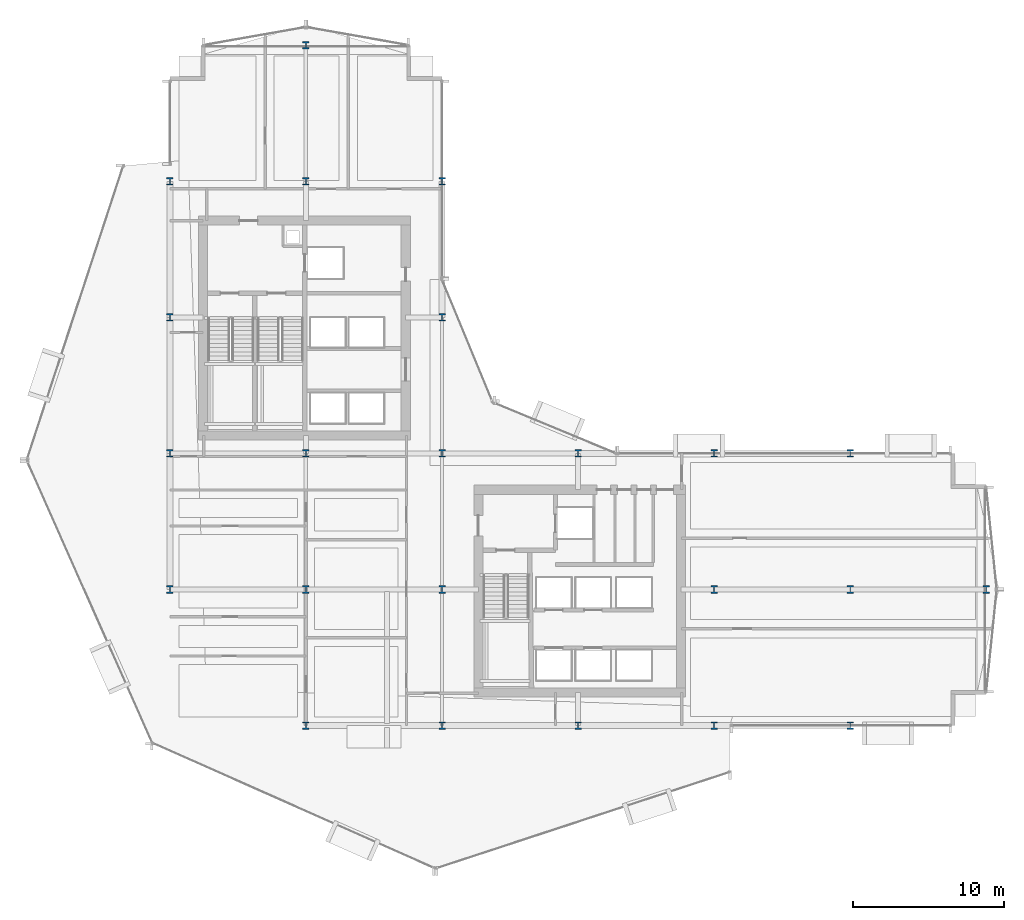
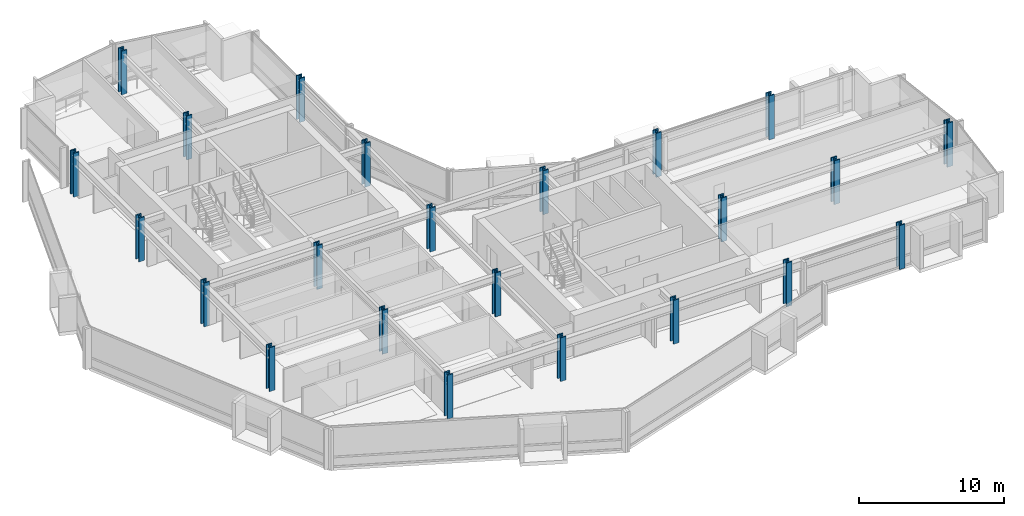
# One storey, part 1 of 34: 23 columns.
"""IFC4 building model written with IfcOpenShell, lengths in metres."""

import ifcopenshell
import ifcopenshell.guid

model = None  # the IFC model being written
_history = None  # IfcOwnerHistory: only IFC2X3 demands one
_inside = {}  # id of a spatial element -> (the spatial element, [elements in it])
_under = {}  # id of a project, library or spatial element -> (it, [spatial elements below it])
_declared = {}  # id of a project -> (the project, [libraries it declares])
_typed = {}  # id of a type object -> (the type object, [elements of that type])
_made_of = {}  # id of a material, layer set ... -> (it, [elements and type objects made of it])


def new_model(schema):
    """Start an empty IFC model of exactly this schema.

    Asked for "IFC4X3", IfcOpenShell would pick the latest addendum, in which some entities
    have other attributes; the version numbers below select the first issue.
    IFC2X3 requires an IfcOwnerHistory on every rooted entity: one is made here for all.
    """
    global model, _history
    if schema == "IFC4X3":
        model = ifcopenshell.file(schema_version=(4, 3, 0, 0))
    else:
        model = ifcopenshell.file(schema=schema)
    _inside.clear()
    _under.clear()
    _declared.clear()
    _typed.clear()
    _made_of.clear()
    _history = None
    if model.schema == "IFC2X3":
        org = make("IfcOrganization", Name="unknown")
        user = make(
            "IfcPersonAndOrganization",
            ThePerson=make("IfcPerson", FamilyName="unknown"),
            TheOrganization=org,
        )
        app = make(
            "IfcApplication",
            ApplicationDeveloper=org,
            Version="unknown",
            ApplicationFullName="unknown",
            ApplicationIdentifier="unknown",
        )
        _history = make(
            "IfcOwnerHistory",
            OwningUser=user,
            OwningApplication=app,
            ChangeAction="ADDED",
            CreationDate=0,
        )
    return model


def make(cls, **values):
    """One entity of the class cls with the attributes given. An attribute that is None is left unset."""
    return model.create_entity(
        cls, **{name: value for name, value in values.items() if value is not None}
    )


def rooted(cls, **values):
    """An entity with a GlobalId (a new one), such as an element, a storey or a relation."""
    return make(cls, GlobalId=ifcopenshell.guid.new(), OwnerHistory=_history, **values)


def si_unit(unit_type, name, prefix=None):
    """IfcSIUnit, for example si_unit("LENGTHUNIT", "METRE", prefix="MILLI")."""
    return make("IfcSIUnit", UnitType=unit_type, Prefix=prefix, Name=name)


def assignment(units):
    """IfcUnitAssignment: the units of a project."""
    return None if units is None else make("IfcUnitAssignment", Units=units)


def point(xyz):
    """IfcCartesianPoint."""
    return None if xyz is None else make("IfcCartesianPoint", Coordinates=xyz)


def direction(xyz):
    """IfcDirection."""
    return None if xyz is None else make("IfcDirection", DirectionRatios=xyz)


def frame(location, z_axis=None, x_axis=None):
    """IfcAxis2Placement3D, a coordinate frame: its origin and axes. An axis left out is left unset."""
    return make(
        "IfcAxis2Placement3D",
        Location=point(location),
        Axis=direction(z_axis),
        RefDirection=direction(x_axis),
    )


def frame_2d(location, x_axis=None):
    """IfcAxis2Placement2D, a coordinate frame in the plane: its origin and x axis."""
    return make(
        "IfcAxis2Placement2D", Location=point(location), RefDirection=direction(x_axis)
    )


def origin():
    """The frame at (0, 0, 0) with its axes left unset."""
    return frame((0.0, 0.0, 0.0))


def origin_2d():
    """The frame at (0, 0) in the plane with its x axis left unset."""
    return frame_2d((0.0, 0.0))


def place(relative_to, where):
    """IfcLocalPlacement: puts the frame where relative to a parent placement (None: the world)."""
    return make(
        "IfcLocalPlacement", PlacementRelTo=relative_to, RelativePlacement=where
    )


def context(
    kind, dimensions, precision=None, world=None, true_north=None, identifier=None
):
    """IfcGeometricRepresentationContext, for example the 3D "Model" context."""
    return make(
        "IfcGeometricRepresentationContext",
        ContextIdentifier=identifier,
        ContextType=kind,
        CoordinateSpaceDimension=dimensions,
        Precision=precision,
        WorldCoordinateSystem=world,
        TrueNorth=true_north,
    )


def subcontext(parent, identifier, kind, view, scale=None):
    """IfcGeometricRepresentationSubContext, for example "Body" below "Model"."""
    return make(
        "IfcGeometricRepresentationSubContext",
        ContextIdentifier=identifier,
        ContextType=kind,
        ParentContext=parent,
        TargetScale=scale,
        TargetView=view,
    )


def project(units=None, contexts=None):
    """IfcProject with its units and contexts."""
    return rooted(
        "IfcProject",
        Name="project",
        RepresentationContexts=contexts,
        UnitsInContext=assignment(units),
    )


def spatial(cls, under=None, at=None, **own):
    """A site, building, storey or space (cls), placed at a placement, below another one or the project."""
    s = rooted(cls, ObjectPlacement=at, **own)
    if under is not None:
        _under.setdefault(under.id(), (under, []))[1].append(s)
    return s


def profile(cls, at=None, kind="AREA", **sizes):
    """A parametric profile (cls). Its sizes go by their IFC names, for example OverallWidth=200.0."""
    return make(cls, ProfileType=kind, Position=at, **sizes)


def i_section(**sizes):
    """IfcIShapeProfileDef."""
    return profile("IfcIShapeProfileDef", **sizes)


def extrude(swept, where, along, depth):
    """IfcExtrudedAreaSolid: the profile swept, set in the frame where, extruded along a direction by depth."""
    return make(
        "IfcExtrudedAreaSolid",
        SweptArea=swept,
        Position=where,
        ExtrudedDirection=direction(along),
        Depth=depth,
    )


def shape(context_of_items, identifier, shape_type, items):
    """IfcShapeRepresentation: the items that make up one representation, for example the "Body"."""
    return make(
        "IfcShapeRepresentation",
        ContextOfItems=context_of_items,
        RepresentationIdentifier=identifier,
        RepresentationType=shape_type,
        Items=items,
    )


def material(Name=None, Category=None):
    """IfcMaterial."""
    return make("IfcMaterial", Name=Name, Category=Category)


def material_profile(
    of_material, cross_section, Name=None, Category=None, Priority=None
):
    """IfcMaterialProfile: a cross section and its material."""
    return make(
        "IfcMaterialProfile",
        Name=Name,
        Material=of_material,
        Profile=cross_section,
        Priority=Priority,
        Category=Category,
    )


def profile_set(profiles, Name=None, composite=None):
    """IfcMaterialProfileSet."""
    return make(
        "IfcMaterialProfileSet",
        Name=Name,
        MaterialProfiles=profiles,
        CompositeProfile=composite,
    )


def made_of(thing, what):
    """Note that an element or type object is made of a material, layer set ...; save() writes the relation."""
    if what is not None:
        _made_of.setdefault(what.id(), (what, []))[1].append(thing)
    return thing


def type_object(cls, material=None, **own):
    """A type object (cls), such as IfcWallType, which elements share."""
    return made_of(rooted(cls, **own), material)


def element(
    cls,
    number,
    at=None,
    inside=None,
    cuts=None,
    type_object=None,
    material=None,
    context=None,
    identifier="Body",
    shape_type=None,
    held_by="IfcProductDefinitionShape",
    body=None,
    shapes=None,
    **own,
):
    """One element of the class cls, such as IfcWall. Its Tag is "e" and its number.

    at: its placement. inside: the storey or other place that contains it. cuts: it is an
    opening in that element (IfcRelVoidsElement). A single representation is given by context,
    identifier, shape_type and body (its items); several are given by shapes. held_by: the class
    of the entity that holds the representations. save() writes the other relations.
    """
    e = rooted(cls, Tag="e%d" % number, ObjectPlacement=at, **own)
    if body is not None:
        shapes = [shape(context, identifier, shape_type, body)]
    if shapes is not None:
        e.Representation = make(held_by, Representations=shapes)
    if inside is not None:
        _inside.setdefault(inside.id(), (inside, []))[1].append(e)
    if cuts is not None:
        rooted(
            "IfcRelVoidsElement", RelatingBuildingElement=cuts, RelatedOpeningElement=e
        )
    if type_object is not None:
        _typed.setdefault(type_object.id(), (type_object, []))[1].append(e)
    return made_of(e, material)


def aggregate(whole, parts):
    """IfcRelAggregates: a whole, such as a stair, and the parts it consists of."""
    return rooted("IfcRelAggregates", RelatingObject=whole, RelatedObjects=parts)


def save(model, path):
    """Write the relations noted so far, then the file.

    IfcRelAggregates (storeys below a building ...), IfcRelContainedInSpatialStructure (elements
    in a storey), IfcRelDefinesByType, IfcRelAssociatesMaterial and IfcRelDeclares: one each for
    every whole, place, type object, material and project.
    """
    for whole, parts in _under.values():
        aggregate(whole, parts)
    for where, things in _inside.values():
        rooted(
            "IfcRelContainedInSpatialStructure",
            RelatedElements=things,
            RelatingStructure=where,
        )
    for kind, things in _typed.values():
        rooted("IfcRelDefinesByType", RelatedObjects=things, RelatingType=kind)
    for what, things in _made_of.values():
        rooted("IfcRelAssociatesMaterial", RelatedObjects=things, RelatingMaterial=what)
    for by, libraries in _declared.values():
        rooted("IfcRelDeclares", RelatingContext=by, RelatedDefinitions=libraries)
    model.write(path)


model = new_model("IFC4")

# Units and contexts
model_context = context("Model", 3, precision=1e-05, world=origin(), true_north=direction((0.0, 1.0)))
body_context = subcontext(model_context, "Body", "Model", "MODEL_VIEW")
ifc_project = project(units=[si_unit("LENGTHUNIT", "METRE"), si_unit("AREAUNIT", "SQUARE_METRE"), si_unit("VOLUMEUNIT", "CUBIC_METRE"), si_unit("PLANEANGLEUNIT", "RADIAN"), si_unit("MASSUNIT", "GRAM", prefix="KILO")], contexts=[model_context])

# Site, building, storey
site_placement = place(None, origin())
site = spatial("IfcSite", under=ifc_project, at=site_placement, CompositionType="ELEMENT")
building_placement = place(site_placement, origin())
building = spatial("IfcBuilding", under=site, at=building_placement, Name="Solvaryn Broadcast Tower", CompositionType="ELEMENT")
storey_placement = place(building_placement, frame((0.0, 0.0, 43.39990234375)))
storey = spatial("IfcBuildingStorey", under=building, at=storey_placement, Name="L09", CompositionType="ELEMENT", Elevation=43.39990234375)

# Columns
ifc_material_1 = material(Name="Steel ASTM A913 Grade 65", Category="steel")
ifc_material_profile_1 = material_profile(ifc_material_1, i_section(OverallWidth=0.431884765625, OverallDepth=0.498046875, WebThickness=0.0556640625, FlangeThickness=0.0888671875, FilletRadius=0.014892578125, at=origin_2d()))
ifc_profile_set_1 = profile_set([ifc_material_profile_1], Name="Steel ASTM A913 Grade 65")
column_type_1 = type_object("IfcColumnType", Name="COL-C03E-W14X500", PredefinedType="COLUMN", material=ifc_profile_set_1)
for number, where, z_axis, x_axis, name in (
    (1, (9.0, 18.0, 0.0), (0.0, 0.0, 1.0), (1.0, 0.0, 0.0), "L09 Column (9.0, 18.0)"),
    (2, (9.0, 27.0, 0.0), (0.0, 0.0, 1.0), (1.0, 0.0, 0.0), "L09 Column (9.0, 27.0)"),
    (3, (9.0, 36.0, 0.0), (0.0, 0.0, 1.0), (1.0, 0.0, 0.0), "L09 Column (9.0, 36.0)"),
    (4, (9.0, 45.0, 0.0), (0.0, 0.0, 1.0), (1.0, 0.0, 0.0), "L09 Column (9.0, 45.0)"),
    (5, (18.0, 9.0, 0.0), (0.0, 0.0, 1.0), (1.0, 0.0, 0.0), "L09 Column (18.0, 9.0)"),
    (6, (18.0, 54.0, 0.0), (0.0, 0.0, 1.0), (1.0, 0.0, 0.0), "L09 Column (18.0, 54.0)"),
    (7, (27.0, 9.0, 0.0), (0.0, 0.0, 1.0), (1.0, 0.0, 0.0), "L09 Column (27.0, 9.0)"),
    (8, (27.0, 36.0, 0.0), (0.0, 0.0, 1.0), (1.0, 0.0, 0.0), "L09 Column (27.0, 36.0)"),
    (9, (27.0, 45.0, 0.0), (0.0, 0.0, 1.0), (1.0, 0.0, 0.0), "L09 Column (27.0, 45.0)"),
    (10, (36.0, 9.0, 0.0), (0.0, 0.0, 1.0), (1.0, 0.0, 0.0), "L09 Column (36.0, 9.0)"),
    (11, (36.0, 27.0, 0.0), (0.0, 0.0, 1.0), (1.0, 0.0, 0.0), "L09 Column (36.0, 27.0)"),
    (12, (45.0, 9.0, 0.0), (0.0, 0.0, 1.0), (1.0, 0.0, 0.0), "L09 Column (45.0, 9.0)"),
    (13, (45.0, 27.0, 0.0), (0.0, 0.0, 1.0), (1.0, 0.0, 0.0), "L09 Column (45.0, 27.0)"),
    (14, (54.0, 9.0, 0.0), (0.0, 0.0, 1.0), (1.0, 0.0, 0.0), "L09 Column (54.0, 9.0)"),
    (15, (54.0, 27.0, 0.0), (0.0, 0.0, 1.0), (1.0, 0.0, 0.0), "L09 Column (54.0, 27.0)"),
    (16, (63.0, 18.0, 0.0), (0.0, 0.0, 1.0), (1.0, 0.0, 0.0), "L09 Column (63.0, 18.0)"),
):
    element("IfcColumn", number, at=place(storey_placement, frame(where, z_axis=z_axis, x_axis=x_axis)), inside=storey, type_object=column_type_1, Name=name, PredefinedType="COLUMN", context=body_context, shape_type="SweptSolid", body=[
        extrude(i_section(OverallWidth=0.431884765625, OverallDepth=0.498046875, WebThickness=0.0556640625, FlangeThickness=0.0888671875, FilletRadius=0.014892578125, at=origin_2d()), origin(), (0.0, 0.0, 1.0), 3.7001953125),
    ])
ifc_material_2 = material(Name="Steel ASTM A913 Grade 65", Category="steel")
ifc_material_profile_2 = material_profile(ifc_material_2, i_section(OverallWidth=0.431884765625, OverallDepth=0.498046875, WebThickness=0.0556640625, FlangeThickness=0.0888671875, FilletRadius=0.014892578125, at=origin_2d()))
ifc_profile_set_2 = profile_set([ifc_material_profile_2], Name="Steel ASTM A913 Grade 65")
column_type_2 = type_object("IfcColumnType", Name="COL-C03I-W14X500", PredefinedType="COLUMN", material=ifc_profile_set_2)
for number, where, z_axis, x_axis, name in (
    (17, (18.0, 18.0, 0.0), (0.0, 0.0, 1.0), (1.0, 0.0, 0.0), "L09 Column (18.0, 18.0)"),
    (18, (18.0, 27.0, 0.0), (0.0, 0.0, 1.0), (1.0, 0.0, 0.0), "L09 Column (18.0, 27.0)"),
    (19, (18.0, 45.0, 0.0), (0.0, 0.0, 1.0), (1.0, 0.0, 0.0), "L09 Column (18.0, 45.0)"),
    (20, (27.0, 18.0, 0.0), (0.0, 0.0, 1.0), (1.0, 0.0, 0.0), "L09 Column (27.0, 18.0)"),
    (21, (27.0, 27.0, 0.0), (0.0, 0.0, 1.0), (1.0, 0.0, 0.0), "L09 Column (27.0, 27.0)"),
    (22, (45.0, 18.0, 0.0), (0.0, 0.0, 1.0), (1.0, 0.0, 0.0), "L09 Column (45.0, 18.0)"),
    (23, (54.0, 18.0, 0.0), (0.0, 0.0, 1.0), (1.0, 0.0, 0.0), "L09 Column (54.0, 18.0)"),
):
    element("IfcColumn", number, at=place(storey_placement, frame(where, z_axis=z_axis, x_axis=x_axis)), inside=storey, type_object=column_type_2, Name=name, PredefinedType="COLUMN", context=body_context, shape_type="SweptSolid", body=[
        extrude(i_section(OverallWidth=0.431884765625, OverallDepth=0.498046875, WebThickness=0.0556640625, FlangeThickness=0.0888671875, FilletRadius=0.014892578125, at=origin_2d()), origin(), (0.0, 0.0, 1.0), 3.7001953125),
    ])

save(model, "model.ifc")
